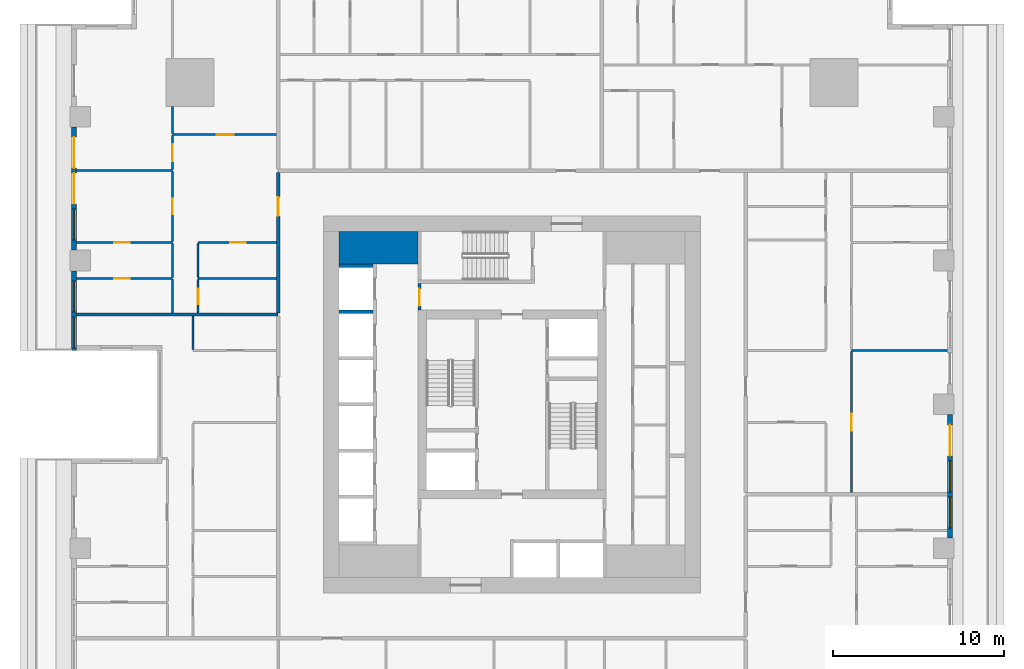
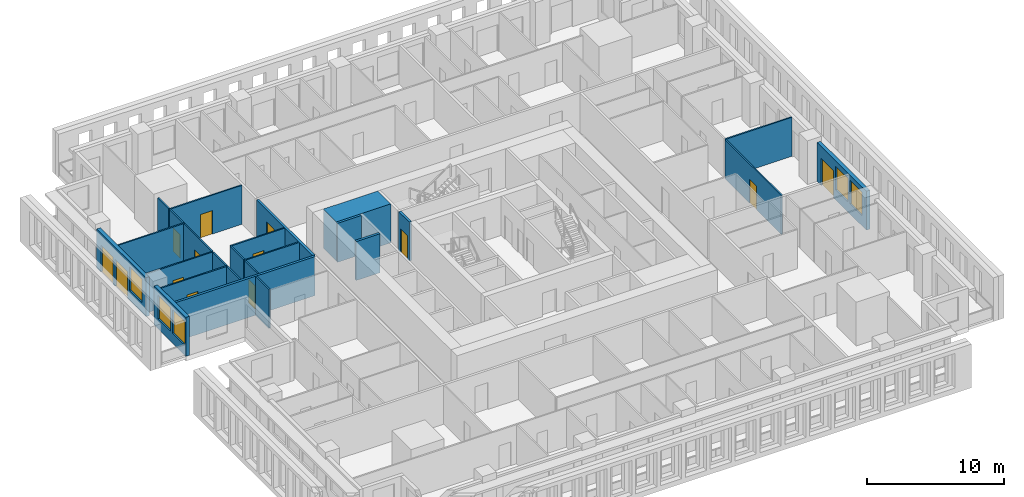
# One storey, part 6 of 15: 25 walls, 13 doors, 5 windows, 18 openings.
"""IFC4 building model written with IfcOpenShell, lengths in metres."""

import ifcopenshell
import ifcopenshell.guid

model = None  # the IFC model being written
_history = None  # IfcOwnerHistory: only IFC2X3 demands one
_inside = {}  # id of a spatial element -> (the spatial element, [elements in it])
_under = {}  # id of a project, library or spatial element -> (it, [spatial elements below it])
_declared = {}  # id of a project -> (the project, [libraries it declares])
_typed = {}  # id of a type object -> (the type object, [elements of that type])
_made_of = {}  # id of a material, layer set ... -> (it, [elements and type objects made of it])


def new_model(schema):
    """Start an empty IFC model of exactly this schema.

    Asked for "IFC4X3", IfcOpenShell would pick the latest addendum, in which some entities
    have other attributes; the version numbers below select the first issue.
    IFC2X3 requires an IfcOwnerHistory on every rooted entity: one is made here for all.
    """
    global model, _history
    if schema == "IFC4X3":
        model = ifcopenshell.file(schema_version=(4, 3, 0, 0))
    else:
        model = ifcopenshell.file(schema=schema)
    _inside.clear()
    _under.clear()
    _declared.clear()
    _typed.clear()
    _made_of.clear()
    _history = None
    if model.schema == "IFC2X3":
        org = make("IfcOrganization", Name="unknown")
        user = make(
            "IfcPersonAndOrganization",
            ThePerson=make("IfcPerson", FamilyName="unknown"),
            TheOrganization=org,
        )
        app = make(
            "IfcApplication",
            ApplicationDeveloper=org,
            Version="unknown",
            ApplicationFullName="unknown",
            ApplicationIdentifier="unknown",
        )
        _history = make(
            "IfcOwnerHistory",
            OwningUser=user,
            OwningApplication=app,
            ChangeAction="ADDED",
            CreationDate=0,
        )
    return model


def make(cls, **values):
    """One entity of the class cls with the attributes given. An attribute that is None is left unset."""
    return model.create_entity(
        cls, **{name: value for name, value in values.items() if value is not None}
    )


def rooted(cls, **values):
    """An entity with a GlobalId (a new one), such as an element, a storey or a relation."""
    return make(cls, GlobalId=ifcopenshell.guid.new(), OwnerHistory=_history, **values)


def si_unit(unit_type, name, prefix=None):
    """IfcSIUnit, for example si_unit("LENGTHUNIT", "METRE", prefix="MILLI")."""
    return make("IfcSIUnit", UnitType=unit_type, Prefix=prefix, Name=name)


def assignment(units):
    """IfcUnitAssignment: the units of a project."""
    return None if units is None else make("IfcUnitAssignment", Units=units)


def point(xyz):
    """IfcCartesianPoint."""
    return None if xyz is None else make("IfcCartesianPoint", Coordinates=xyz)


def direction(xyz):
    """IfcDirection."""
    return None if xyz is None else make("IfcDirection", DirectionRatios=xyz)


def frame(location, z_axis=None, x_axis=None):
    """IfcAxis2Placement3D, a coordinate frame: its origin and axes. An axis left out is left unset."""
    return make(
        "IfcAxis2Placement3D",
        Location=point(location),
        Axis=direction(z_axis),
        RefDirection=direction(x_axis),
    )


def frame_2d(location, x_axis=None):
    """IfcAxis2Placement2D, a coordinate frame in the plane: its origin and x axis."""
    return make(
        "IfcAxis2Placement2D", Location=point(location), RefDirection=direction(x_axis)
    )


def origin():
    """The frame at (0, 0, 0) with its axes left unset."""
    return frame((0.0, 0.0, 0.0))


def place(relative_to, where):
    """IfcLocalPlacement: puts the frame where relative to a parent placement (None: the world)."""
    return make(
        "IfcLocalPlacement", PlacementRelTo=relative_to, RelativePlacement=where
    )


def context(
    kind, dimensions, precision=None, world=None, true_north=None, identifier=None
):
    """IfcGeometricRepresentationContext, for example the 3D "Model" context."""
    return make(
        "IfcGeometricRepresentationContext",
        ContextIdentifier=identifier,
        ContextType=kind,
        CoordinateSpaceDimension=dimensions,
        Precision=precision,
        WorldCoordinateSystem=world,
        TrueNorth=true_north,
    )


def subcontext(parent, identifier, kind, view, scale=None):
    """IfcGeometricRepresentationSubContext, for example "Body" below "Model"."""
    return make(
        "IfcGeometricRepresentationSubContext",
        ContextIdentifier=identifier,
        ContextType=kind,
        ParentContext=parent,
        TargetScale=scale,
        TargetView=view,
    )


def project(units=None, contexts=None):
    """IfcProject with its units and contexts."""
    return rooted(
        "IfcProject",
        Name="project",
        RepresentationContexts=contexts,
        UnitsInContext=assignment(units),
    )


def spatial(cls, under=None, at=None, **own):
    """A site, building, storey or space (cls), placed at a placement, below another one or the project."""
    s = rooted(cls, ObjectPlacement=at, **own)
    if under is not None:
        _under.setdefault(under.id(), (under, []))[1].append(s)
    return s


def profile(cls, at=None, kind="AREA", **sizes):
    """A parametric profile (cls). Its sizes go by their IFC names, for example OverallWidth=200.0."""
    return make(cls, ProfileType=kind, Position=at, **sizes)


def rectangle(**sizes):
    """IfcRectangleProfileDef."""
    return profile("IfcRectangleProfileDef", **sizes)


def extrude(swept, where, along, depth):
    """IfcExtrudedAreaSolid: the profile swept, set in the frame where, extruded along a direction by depth."""
    return make(
        "IfcExtrudedAreaSolid",
        SweptArea=swept,
        Position=where,
        ExtrudedDirection=direction(along),
        Depth=depth,
    )


def shape(context_of_items, identifier, shape_type, items):
    """IfcShapeRepresentation: the items that make up one representation, for example the "Body"."""
    return make(
        "IfcShapeRepresentation",
        ContextOfItems=context_of_items,
        RepresentationIdentifier=identifier,
        RepresentationType=shape_type,
        Items=items,
    )


def material(Name=None, Category=None):
    """IfcMaterial."""
    return make("IfcMaterial", Name=Name, Category=Category)


def layer(
    of_material, thickness, ventilated=None, Name=None, Category=None, Priority=None
):
    """IfcMaterialLayer: one layer of a wall or slab, of a material (None: an air gap)."""
    return make(
        "IfcMaterialLayer",
        Material=of_material,
        LayerThickness=thickness,
        IsVentilated=ventilated,
        Name=Name,
        Category=Category,
        Priority=Priority,
    )


def layer_set(layers, Name=None):
    """IfcMaterialLayerSet."""
    return make("IfcMaterialLayerSet", MaterialLayers=layers, LayerSetName=Name)


def made_of(thing, what):
    """Note that an element or type object is made of a material, layer set ...; save() writes the relation."""
    if what is not None:
        _made_of.setdefault(what.id(), (what, []))[1].append(thing)
    return thing


def type_object(cls, material=None, **own):
    """A type object (cls), such as IfcWallType, which elements share."""
    return made_of(rooted(cls, **own), material)


def element(
    cls,
    number,
    at=None,
    inside=None,
    cuts=None,
    type_object=None,
    material=None,
    context=None,
    identifier="Body",
    shape_type=None,
    held_by="IfcProductDefinitionShape",
    body=None,
    shapes=None,
    **own,
):
    """One element of the class cls, such as IfcWall. Its Tag is "e" and its number.

    at: its placement. inside: the storey or other place that contains it. cuts: it is an
    opening in that element (IfcRelVoidsElement). A single representation is given by context,
    identifier, shape_type and body (its items); several are given by shapes. held_by: the class
    of the entity that holds the representations. save() writes the other relations.
    """
    e = rooted(cls, Tag="e%d" % number, ObjectPlacement=at, **own)
    if body is not None:
        shapes = [shape(context, identifier, shape_type, body)]
    if shapes is not None:
        e.Representation = make(held_by, Representations=shapes)
    if inside is not None:
        _inside.setdefault(inside.id(), (inside, []))[1].append(e)
    if cuts is not None:
        rooted(
            "IfcRelVoidsElement", RelatingBuildingElement=cuts, RelatedOpeningElement=e
        )
    if type_object is not None:
        _typed.setdefault(type_object.id(), (type_object, []))[1].append(e)
    return made_of(e, material)


def fill(opening, filler):
    """IfcRelFillsElement: the door or window that sits in an opening."""
    return rooted(
        "IfcRelFillsElement",
        RelatingOpeningElement=opening,
        RelatedBuildingElement=filler,
    )


def aggregate(whole, parts):
    """IfcRelAggregates: a whole, such as a stair, and the parts it consists of."""
    return rooted("IfcRelAggregates", RelatingObject=whole, RelatedObjects=parts)


def save(model, path):
    """Write the relations noted so far, then the file.

    IfcRelAggregates (storeys below a building ...), IfcRelContainedInSpatialStructure (elements
    in a storey), IfcRelDefinesByType, IfcRelAssociatesMaterial and IfcRelDeclares: one each for
    every whole, place, type object, material and project.
    """
    for whole, parts in _under.values():
        aggregate(whole, parts)
    for where, things in _inside.values():
        rooted(
            "IfcRelContainedInSpatialStructure",
            RelatedElements=things,
            RelatingStructure=where,
        )
    for kind, things in _typed.values():
        rooted("IfcRelDefinesByType", RelatedObjects=things, RelatingType=kind)
    for what, things in _made_of.values():
        rooted("IfcRelAssociatesMaterial", RelatedObjects=things, RelatingMaterial=what)
    for by, libraries in _declared.values():
        rooted("IfcRelDeclares", RelatingContext=by, RelatedDefinitions=libraries)
    model.write(path)


model = new_model("IFC4")

# Units and contexts
model_context = context("Model", 3, precision=1e-05, world=origin(), true_north=direction((0.0, 1.0)))
body_context = subcontext(model_context, "Body", "Model", "MODEL_VIEW")
ifc_project = project(units=[si_unit("LENGTHUNIT", "METRE"), si_unit("AREAUNIT", "SQUARE_METRE"), si_unit("VOLUMEUNIT", "CUBIC_METRE"), si_unit("PLANEANGLEUNIT", "RADIAN"), si_unit("MASSUNIT", "GRAM", prefix="KILO")], contexts=[model_context])

# Site, building, storey
site_placement = place(None, origin())
site = spatial("IfcSite", under=ifc_project, at=site_placement, CompositionType="ELEMENT")
building_placement = place(site_placement, origin())
building = spatial("IfcBuilding", under=site, at=building_placement, Name="Khepri Terraces", CompositionType="ELEMENT")
storey_placement = place(building_placement, frame((0.0, 0.0, 83.10009765625)))
storey = spatial("IfcBuildingStorey", under=building, at=storey_placement, Name="L19", CompositionType="ELEMENT", Elevation=83.10009765625)

# Walls
ifc_material_1 = material(Name="Concrete C70/85", Category="concrete")
ifc_layer_1 = layer(ifc_material_1, 1.89990234375, Name="Concrete C70/85", Category="concrete")
ifc_layer_set_1 = layer_set([ifc_layer_1], Name="Concrete C70/85")
wall_type_1 = type_object("IfcWallType", Name="Core wall 1900 C70/85", PredefinedType="SHEAR", material=ifc_layer_set_1)
wall_1_placement = place(storey_placement, frame((-10.10009765625, 9.14990234375, 0.0), z_axis=(0.0, 0.0, 1.0), x_axis=(1.0, 0.0, 0.0)))
element("IfcWall", 1, at=wall_1_placement, inside=storey, type_object=wall_type_1, Name="Core wall PR03 L19", PredefinedType="SHEAR", context=body_context, shape_type="SweptSolid", body=[
    extrude(rectangle(XDim=4.60009765625, YDim=1.89990234375, at=frame_2d((2.300048828125, 0.0))), origin(), (0.0, 0.0, 1.0), 3.47998046875),
])
ifc_layer_2 = layer(ifc_material_1, 0.199951171875, Name="Concrete C70/85", Category="concrete")
ifc_layer_set_2 = layer_set([ifc_layer_2], Name="Concrete C70/85")
wall_type_2 = type_object("IfcWallType", Name="Core wall 200 C70/85", PredefinedType="SHEAR", material=ifc_layer_set_2)
for number, where, z_axis, x_axis, name in (
    (2, (-10.10009765625, 5.39990234375, 0.0), (0.0, 0.0, 1.0), (1.0, 0.0, 0.0), "Core wall SH19 L19"),
    (3, (-10.10009765625, 8.10009765625, 0.0), (0.0, 0.0, 1.0), (1.0, 0.0, 0.0), "Core wall SH20 L19"),
):
    element("IfcWall", number, at=place(storey_placement, frame(where, z_axis=z_axis, x_axis=x_axis)), inside=storey, type_object=wall_type_2, Name=name, PredefinedType="SHEAR", context=body_context, shape_type="SweptSolid", body=[
        extrude(rectangle(XDim=2.0, YDim=0.199951171875, at=frame_2d((1.0, 0.0))), origin(), (0.0, 0.0, 1.0), 3.47998046875),
    ])

# Wall, opening, door
ifc_material_2 = material(Name="Fire-rated gypsum board partition")
ifc_layer_3 = layer(ifc_material_2, 0.199951171875, Name="Fire-rated gypsum board partition")
ifc_layer_set_3 = layer_set([ifc_layer_3], Name="Fire-rated gypsum board partition")
wall_type_3 = type_object("IfcWallType", Name="WL-CORE-PART-200", PredefinedType="PARTITIONING", material=ifc_layer_set_3)
wall_2_placement = place(storey_placement, frame((-5.39990234375, 5.5, 0.0), z_axis=(0.0, 0.0, 1.0), x_axis=(0.0, 1.0, 0.0)))
wall_2 = element("IfcWall", 4, at=wall_2_placement, inside=storey, type_object=wall_type_3, Name="Core partition PT07 L19", PredefinedType="PARTITIONING", context=body_context, shape_type="SweptSolid", body=[
    extrude(rectangle(XDim=1.550048828125, YDim=0.199951171875, at=frame_2d((0.77490234375, 0.0))), origin(), (0.0, 0.0, 1.0), 3.47998046875),
])
opening_1_placement = place(wall_2_placement, frame((0.25, 0.0, 0.0)))
opening_1 = element("IfcOpeningElement", 5, at=opening_1_placement, cuts=wall_2, Name="Opening L19-C16", PredefinedType="OPENING", context=body_context, shape_type="SweptSolid", body=[
    extrude(rectangle(XDim=1.0, YDim=2.10009765625, at=frame_2d((0.5, 1.050048828125))), frame((0.0, 0.10986328125, 0.0), z_axis=(0.0, -1.0, 0.0), x_axis=(1.0, 0.0, 0.0)), (0.0, 0.0, 1.0), 0.219970703125),
])
ifc_material_3 = material(Name="Painted steel", Category="steel")
door_type_1 = type_object("IfcDoorType", Name="DR-CORE-LOBBY-1000", OperationType="NOTDEFINED", PredefinedType="DOOR", material=ifc_material_3)
door_1_placement = place(opening_1_placement, frame((1.0, 0.0, 0.0), z_axis=(0.0, 0.0, 1.0), x_axis=(-1.0, 0.0, 0.0)))
door_1 = element("IfcDoor", 6, at=door_1_placement, inside=storey, type_object=door_type_1, Name="Lobby door L19-C16", OperationType="SINGLE_SWING_RIGHT", OverallHeight=2.10009765625, OverallWidth=1.0, PredefinedType="DOOR", context=body_context, shape_type="SweptSolid", body=[
    extrude(rectangle(XDim=1.0, YDim=2.10009765625, at=frame_2d((0.5, 1.050048828125))), frame((0.0, 0.02490234375, 0.0), z_axis=(0.0, -1.0, 0.0), x_axis=(1.0, 0.0, 0.0)), (0.0, 0.0, 1.0), 0.050048828125),
])
fill(opening_1, door_1)

# Wall
ifc_material_4 = material(Name="Fire-rated gypsum plasterboard partition, mineral wool")
ifc_layer_4 = layer(ifc_material_4, 0.199951171875, Name="Fire-rated gypsum plasterboard partition, mineral wool")
ifc_layer_set_4 = layer_set([ifc_layer_4], Name="Fire-rated gypsum plasterboard partition, mineral wool")
wall_type_4 = type_object("IfcWallType", Name="WL-CORR-200", PredefinedType="PARTITIONING", material=ifc_layer_set_4)
wall_3_placement = place(storey_placement, frame((-25.419921875, 5.25, 0.0), z_axis=(0.0, 0.0, 1.0), x_axis=(1.0, 0.0, 0.0)))
element("IfcWall", 7, at=wall_3_placement, inside=storey, type_object=wall_type_4, Name="Partition P-058 L19", PredefinedType="PARTITIONING", context=body_context, shape_type="SweptSolid", body=[
    extrude(rectangle(XDim=11.77001953125, YDim=0.199951171875, at=frame_2d((5.885009765625, 0.0))), origin(), (0.0, 0.0, 1.0), 3.47998046875),
])

# Wall, opening, door
wall_4_placement = place(storey_placement, frame((-13.64990234375, 5.35009765625, 0.0), z_axis=(0.0, 0.0, 1.0), x_axis=(0.0, 1.0, 0.0)))
wall_4 = element("IfcWall", 8, at=wall_4_placement, inside=storey, type_object=wall_type_4, Name="Partition P-061 L19", PredefinedType="PARTITIONING", context=body_context, shape_type="SweptSolid", body=[
    extrude(rectangle(XDim=8.199951171875, YDim=0.199951171875, at=frame_2d((4.10009765625, 0.0))), origin(), (0.0, 0.0, 1.0), 3.47998046875),
])
opening_2_placement = place(wall_4_placement, frame((5.64990234375, 0.0, 0.0)))
opening_2 = element("IfcOpeningElement", 9, at=opening_2_placement, cuts=wall_4, Name="Opening D1", PredefinedType="OPENING", context=body_context, shape_type="SweptSolid", body=[
    extrude(rectangle(XDim=1.10009765625, YDim=2.39990234375, at=frame_2d((0.550048828125, 1.199951171875))), frame((0.0, 0.10986328125, 0.0), z_axis=(0.0, -1.0, 0.0), x_axis=(1.0, 0.0, 0.0)), (0.0, 0.0, 1.0), 0.219970703125),
])
ifc_material_5 = material(Name="Solid-core timber door leaf, flat entrance door", Category="wood")
door_type_2 = type_object("IfcDoorType", Name="DR-ENT-1100", OperationType="NOTDEFINED", PredefinedType="DOOR", material=ifc_material_5)
door_2_placement = place(opening_2_placement, origin())
door_2 = element("IfcDoor", 10, at=door_2_placement, inside=storey, type_object=door_type_2, Name="Flat D1 entrance door", OperationType="SINGLE_SWING_RIGHT", OverallHeight=2.39990234375, OverallWidth=1.10009765625, PredefinedType="DOOR", context=body_context, shape_type="SweptSolid", body=[
    extrude(rectangle(XDim=1.10009765625, YDim=2.39990234375, at=frame_2d((0.550048828125, 1.199951171875))), frame((0.0, 0.02490234375, 0.0), z_axis=(0.0, -1.0, 0.0), x_axis=(1.0, 0.0, 0.0)), (0.0, 0.0, 1.0), 0.050048828125),
])
fill(opening_2, door_2)

# Wall, openings, door, windows
ifc_material_6 = material(Name="Precast concrete C50/60 warm stone", Category="masonry")
ifc_layer_5 = layer(ifc_material_6, 0.300048828125, Name="Precast concrete C50/60 warm stone", Category="masonry")
ifc_layer_set_5 = layer_set([ifc_layer_5], Name="Precast concrete C50/60 warm stone")
wall_type_5 = type_object("IfcWallType", Name="WL-EXT-PRECAST-300", PredefinedType="STANDARD", material=ifc_layer_set_5)
wall_5_placement = place(storey_placement, frame((25.570068359375, -7.800048828125, 0.0), z_axis=(0.0, 0.0, 1.0), x_axis=(0.0, 1.0, 0.0)))
wall_5 = element("IfcWall", 11, at=wall_5_placement, inside=storey, type_object=wall_type_5, Name="External wall L19 E", PredefinedType="STANDARD", context=body_context, shape_type="SweptSolid", body=[
    extrude(rectangle(XDim=7.199951171875, YDim=0.300048828125, at=frame_2d((3.60009765625, 0.0))), origin(), (0.0, 0.0, 1.0), 3.47998046875),
])
opening_3_placement = place(wall_5_placement, frame((0.60009765625, 0.0, 0.89990234375)))
opening_3 = element("IfcOpeningElement", 12, at=opening_3_placement, cuts=wall_5, Name="Opening W1", PredefinedType="OPENING", context=body_context, shape_type="SweptSolid", body=[
    extrude(rectangle(XDim=1.800048828125, YDim=2.10009765625, at=frame_2d((0.89990234375, 1.050048828125))), frame((0.0, 0.16015625, 0.0), z_axis=(0.0, -1.0, 0.0), x_axis=(1.0, 0.0, 0.0)), (0.0, 0.0, 1.0), 0.320068359375),
])
opening_4_placement = place(wall_5_placement, frame((2.699951171875, 0.0, 0.89990234375)))
opening_4 = element("IfcOpeningElement", 13, at=opening_4_placement, cuts=wall_5, Name="Opening W1", PredefinedType="OPENING", context=body_context, shape_type="SweptSolid", body=[
    extrude(rectangle(XDim=1.800048828125, YDim=2.10009765625, at=frame_2d((0.89990234375, 1.050048828125))), frame((0.0, 0.16015625, 0.0), z_axis=(0.0, -1.0, 0.0), x_axis=(1.0, 0.0, 0.0)), (0.0, 0.0, 1.0), 0.320068359375),
])
opening_5_placement = place(wall_5_placement, frame((4.800048828125, 0.0, 0.0)))
opening_5 = element("IfcOpeningElement", 14, at=opening_5_placement, cuts=wall_5, Name="Opening ED-L19-04", PredefinedType="OPENING", context=body_context, shape_type="SweptSolid", body=[
    extrude(rectangle(XDim=1.800048828125, YDim=2.39990234375, at=frame_2d((0.89990234375, 1.199951171875))), frame((0.0, 0.16015625, 0.0), z_axis=(0.0, -1.0, 0.0), x_axis=(1.0, 0.0, 0.0)), (0.0, 0.0, 1.0), 0.320068359375),
])
ifc_material_7 = material(Name="Anodised aluminium bronze glazed door", Category="aluminium")
door_type_3 = type_object("IfcDoorType", Name="DR-BAL-SLIDE-1800x2400", OperationType="NOTDEFINED", PredefinedType="DOOR", material=ifc_material_7)
door_3_placement = place(opening_5_placement, origin())
door_3 = element("IfcDoor", 15, at=door_3_placement, inside=storey, type_object=door_type_3, Name="Balcony door L19 E", OperationType="SLIDING_TO_RIGHT", OverallHeight=2.39990234375, OverallWidth=1.800048828125, PredefinedType="DOOR", context=body_context, shape_type="SweptSolid", body=[
    extrude(rectangle(XDim=1.800048828125, YDim=2.39990234375, at=frame_2d((0.89990234375, 1.199951171875))), frame((0.0, 0.02490234375, 0.0), z_axis=(0.0, -1.0, 0.0), x_axis=(1.0, 0.0, 0.0)), (0.0, 0.0, 1.0), 0.050048828125),
])
fill(opening_5, door_3)
ifc_material_8 = material(Name="Clear glass", Category="glass")
window_type = type_object("IfcWindowType", Name="WIN-RES-1800x2100", PartitioningType="SINGLE_PANEL", PredefinedType="WINDOW", material=ifc_material_8)
window_1_placement = place(opening_3_placement, origin())
window_1 = element("IfcWindow", 16, at=window_1_placement, inside=storey, type_object=window_type, Name="Window L19 E", OverallHeight=2.10009765625, OverallWidth=1.800048828125, PartitioningType="SINGLE_PANEL", PredefinedType="WINDOW", context=body_context, shape_type="SweptSolid", body=[
    extrude(rectangle(XDim=1.800048828125, YDim=2.10009765625, at=frame_2d((0.89990234375, 1.050048828125))), frame((0.0, 0.030029296875, 0.0), z_axis=(0.0, -1.0, 0.0), x_axis=(1.0, 0.0, 0.0)), (0.0, 0.0, 1.0), 0.06005859375),
])
fill(opening_3, window_1)
window_2_placement = place(opening_4_placement, origin())
window_2 = element("IfcWindow", 17, at=window_2_placement, inside=storey, type_object=window_type, Name="Window L19 E", OverallHeight=2.10009765625, OverallWidth=1.800048828125, PartitioningType="SINGLE_PANEL", PredefinedType="WINDOW", context=body_context, shape_type="SweptSolid", body=[
    extrude(rectangle(XDim=1.800048828125, YDim=2.10009765625, at=frame_2d((0.89990234375, 1.050048828125))), frame((0.0, 0.030029296875, 0.0), z_axis=(0.0, -1.0, 0.0), x_axis=(1.0, 0.0, 0.0)), (0.0, 0.0, 1.0), 0.06005859375),
])
fill(opening_4, window_2)

# Wall, openings, doors, window
wall_6_placement = place(storey_placement, frame((-25.570068359375, 16.199951171875, 0.0), z_axis=(0.0, 0.0, 1.0), x_axis=(0.0, -1.0, 0.0)))
wall_6 = element("IfcWall", 18, at=wall_6_placement, inside=storey, type_object=wall_type_5, Name="External wall L19 W", PredefinedType="STANDARD", context=body_context, shape_type="SweptSolid", body=[
    extrude(rectangle(XDim=7.199951171875, YDim=0.300048828125, at=frame_2d((3.60009765625, 0.0))), origin(), (0.0, 0.0, 1.0), 3.47998046875),
])
opening_6_placement = place(wall_6_placement, frame((0.60009765625, 0.0, 0.0)))
opening_6 = element("IfcOpeningElement", 19, at=opening_6_placement, cuts=wall_6, Name="Opening ED-L19-15", PredefinedType="OPENING", context=body_context, shape_type="SweptSolid", body=[
    extrude(rectangle(XDim=1.800048828125, YDim=2.39990234375, at=frame_2d((0.89990234375, 1.199951171875))), frame((0.0, 0.16015625, 0.0), z_axis=(0.0, -1.0, 0.0), x_axis=(1.0, 0.0, 0.0)), (0.0, 0.0, 1.0), 0.320068359375),
])
opening_7_placement = place(wall_6_placement, frame((2.699951171875, 0.0, 0.0)))
opening_7 = element("IfcOpeningElement", 20, at=opening_7_placement, cuts=wall_6, Name="Opening ED-L19-16", PredefinedType="OPENING", context=body_context, shape_type="SweptSolid", body=[
    extrude(rectangle(XDim=1.800048828125, YDim=2.39990234375, at=frame_2d((0.89990234375, 1.199951171875))), frame((0.0, 0.16015625, 0.0), z_axis=(0.0, -1.0, 0.0), x_axis=(1.0, 0.0, 0.0)), (0.0, 0.0, 1.0), 0.320068359375),
])
opening_8_placement = place(wall_6_placement, frame((4.800048828125, 0.0, 0.89990234375)))
opening_8 = element("IfcOpeningElement", 21, at=opening_8_placement, cuts=wall_6, Name="Opening W1", PredefinedType="OPENING", context=body_context, shape_type="SweptSolid", body=[
    extrude(rectangle(XDim=1.800048828125, YDim=2.10009765625, at=frame_2d((0.89990234375, 1.050048828125))), frame((0.0, 0.16015625, 0.0), z_axis=(0.0, -1.0, 0.0), x_axis=(1.0, 0.0, 0.0)), (0.0, 0.0, 1.0), 0.320068359375),
])
door_4_placement = place(opening_6_placement, origin())
door_4 = element("IfcDoor", 22, at=door_4_placement, inside=storey, type_object=door_type_3, Name="Balcony door L19 W", OperationType="SLIDING_TO_LEFT", OverallHeight=2.39990234375, OverallWidth=1.800048828125, PredefinedType="DOOR", context=body_context, shape_type="SweptSolid", body=[
    extrude(rectangle(XDim=1.800048828125, YDim=2.39990234375, at=frame_2d((0.89990234375, 1.199951171875))), frame((0.0, 0.02490234375, 0.0), z_axis=(0.0, -1.0, 0.0), x_axis=(1.0, 0.0, 0.0)), (0.0, 0.0, 1.0), 0.050048828125),
])
fill(opening_6, door_4)
door_5_placement = place(opening_7_placement, origin())
door_5 = element("IfcDoor", 23, at=door_5_placement, inside=storey, type_object=door_type_3, Name="Balcony door L19 W", OperationType="SLIDING_TO_RIGHT", OverallHeight=2.39990234375, OverallWidth=1.800048828125, PredefinedType="DOOR", context=body_context, shape_type="SweptSolid", body=[
    extrude(rectangle(XDim=1.800048828125, YDim=2.39990234375, at=frame_2d((0.89990234375, 1.199951171875))), frame((0.0, 0.02490234375, 0.0), z_axis=(0.0, -1.0, 0.0), x_axis=(1.0, 0.0, 0.0)), (0.0, 0.0, 1.0), 0.050048828125),
])
fill(opening_7, door_5)
window_3_placement = place(opening_8_placement, origin())
window_3 = element("IfcWindow", 24, at=window_3_placement, inside=storey, type_object=window_type, Name="Window L19 W", OverallHeight=2.10009765625, OverallWidth=1.800048828125, PartitioningType="SINGLE_PANEL", PredefinedType="WINDOW", context=body_context, shape_type="SweptSolid", body=[
    extrude(rectangle(XDim=1.800048828125, YDim=2.10009765625, at=frame_2d((0.89990234375, 1.050048828125))), frame((0.0, 0.030029296875, 0.0), z_axis=(0.0, -1.0, 0.0), x_axis=(1.0, 0.0, 0.0)), (0.0, 0.0, 1.0), 0.06005859375),
])
fill(opening_8, window_3)

# Wall, openings, windows
wall_7_placement = place(storey_placement, frame((-25.570068359375, 7.800048828125, 0.0), z_axis=(0.0, 0.0, 1.0), x_axis=(0.0, -1.0, 0.0)))
wall_7 = element("IfcWall", 25, at=wall_7_placement, inside=storey, type_object=wall_type_5, Name="External wall L19 W", PredefinedType="STANDARD", context=body_context, shape_type="SweptSolid", body=[
    extrude(rectangle(XDim=4.650146484375, YDim=0.300048828125, at=frame_2d((2.3251953125, 0.0))), origin(), (0.0, 0.0, 1.0), 3.47998046875),
])
opening_9_placement = place(wall_7_placement, frame((0.60009765625, 0.0, 0.89990234375)))
opening_9 = element("IfcOpeningElement", 26, at=opening_9_placement, cuts=wall_7, Name="Opening W1", PredefinedType="OPENING", context=body_context, shape_type="SweptSolid", body=[
    extrude(rectangle(XDim=1.800048828125, YDim=2.10009765625, at=frame_2d((0.89990234375, 1.050048828125))), frame((0.0, 0.16015625, 0.0), z_axis=(0.0, -1.0, 0.0), x_axis=(1.0, 0.0, 0.0)), (0.0, 0.0, 1.0), 0.320068359375),
])
opening_10_placement = place(wall_7_placement, frame((2.699951171875, 0.0, 0.89990234375)))
opening_10 = element("IfcOpeningElement", 27, at=opening_10_placement, cuts=wall_7, Name="Opening W1", PredefinedType="OPENING", context=body_context, shape_type="SweptSolid", body=[
    extrude(rectangle(XDim=1.800048828125, YDim=2.10009765625, at=frame_2d((0.89990234375, 1.050048828125))), frame((0.0, 0.16015625, 0.0), z_axis=(0.0, -1.0, 0.0), x_axis=(1.0, 0.0, 0.0)), (0.0, 0.0, 1.0), 0.320068359375),
])
window_4_placement = place(opening_9_placement, origin())
window_4 = element("IfcWindow", 28, at=window_4_placement, inside=storey, type_object=window_type, Name="Window L19 W", OverallHeight=2.10009765625, OverallWidth=1.800048828125, PartitioningType="SINGLE_PANEL", PredefinedType="WINDOW", context=body_context, shape_type="SweptSolid", body=[
    extrude(rectangle(XDim=1.800048828125, YDim=2.10009765625, at=frame_2d((0.89990234375, 1.050048828125))), frame((0.0, 0.030029296875, 0.0), z_axis=(0.0, -1.0, 0.0), x_axis=(1.0, 0.0, 0.0)), (0.0, 0.0, 1.0), 0.06005859375),
])
fill(opening_9, window_4)
window_5_placement = place(opening_10_placement, origin())
window_5 = element("IfcWindow", 29, at=window_5_placement, inside=storey, type_object=window_type, Name="Window L19 W", OverallHeight=2.10009765625, OverallWidth=1.800048828125, PartitioningType="SINGLE_PANEL", PredefinedType="WINDOW", context=body_context, shape_type="SweptSolid", body=[
    extrude(rectangle(XDim=1.800048828125, YDim=2.10009765625, at=frame_2d((0.89990234375, 1.050048828125))), frame((0.0, 0.030029296875, 0.0), z_axis=(0.0, -1.0, 0.0), x_axis=(1.0, 0.0, 0.0)), (0.0, 0.0, 1.0), 0.06005859375),
])
fill(opening_10, window_5)

# Wall, opening, door
ifc_material_9 = material(Name="Gypsum plasterboard partition")
ifc_layer_6 = layer(ifc_material_9, 0.1201171875, Name="Gypsum plasterboard partition")
ifc_layer_set_6 = layer_set([ifc_layer_6], Name="Gypsum plasterboard partition")
wall_type_6 = type_object("IfcWallType", Name="WL-PART-120", PredefinedType="PARTITIONING", material=ifc_layer_set_6)
wall_8_placement = place(storey_placement, frame((19.820068359375, -5.14990234375, 0.0), z_axis=(0.0, 0.0, 1.0), x_axis=(0.0, 1.0, 0.0)))
wall_8 = element("IfcWall", 30, at=wall_8_placement, inside=storey, type_object=wall_type_6, Name="Partition P-048 L19", PredefinedType="PARTITIONING", context=body_context, shape_type="SweptSolid", body=[
    extrude(rectangle(XDim=8.239990234375, YDim=0.1201171875, at=frame_2d((4.1201171875, 0.0))), origin(), (0.0, 0.0, 1.0), 3.47998046875),
])
opening_11_placement = place(wall_8_placement, frame((3.60009765625, 0.0, 0.0)))
opening_11 = element("IfcOpeningElement", 31, at=opening_11_placement, cuts=wall_8, Name="Opening D2", PredefinedType="OPENING", context=body_context, shape_type="SweptSolid", body=[
    extrude(rectangle(XDim=1.0, YDim=2.10009765625, at=frame_2d((0.5, 1.050048828125))), frame((0.0, 0.070068359375, 0.0), z_axis=(0.0, -1.0, 0.0), x_axis=(1.0, 0.0, 0.0)), (0.0, 0.0, 1.0), 0.14013671875),
])
ifc_material_10 = material(Name="Timber door leaf, living room door", Category="wood")
door_type_4 = type_object("IfcDoorType", Name="DR-INT-1000", OperationType="NOTDEFINED", PredefinedType="DOOR", material=ifc_material_10)
door_6_placement = place(opening_11_placement, frame((1.0, 0.0, 0.0), z_axis=(0.0, 0.0, 1.0), x_axis=(-1.0, 0.0, 0.0)))
door_6 = element("IfcDoor", 32, at=door_6_placement, inside=storey, type_object=door_type_4, Name="Door Living Room", OperationType="SINGLE_SWING_RIGHT", OverallHeight=2.10009765625, OverallWidth=1.0, PredefinedType="DOOR", context=body_context, shape_type="SweptSolid", body=[
    extrude(rectangle(XDim=1.0, YDim=2.10009765625, at=frame_2d((0.5, 1.050048828125))), frame((0.0, 0.02490234375, 0.0), z_axis=(0.0, -1.0, 0.0), x_axis=(1.0, 0.0, 0.0)), (0.0, 0.0, 1.0), 0.050048828125),
])
fill(opening_11, door_6)

# Walls
wall_9_placement = place(storey_placement, frame((19.820068359375, 3.14990234375, 0.0), z_axis=(0.0, 0.0, 1.0), x_axis=(1.0, 0.0, 0.0)))
element("IfcWall", 33, at=wall_9_placement, inside=storey, type_object=wall_type_6, Name="Partition P-054 L19", PredefinedType="PARTITIONING", context=body_context, shape_type="SweptSolid", body=[
    extrude(rectangle(XDim=5.599853515625, YDim=0.1201171875, at=frame_2d((2.7998046875, 0.0))), origin(), (0.0, 0.0, 1.0), 3.47998046875),
])
for number, where, z_axis, x_axis, name in (
    (34, (-18.6201171875, 3.2099609375, 0.0), (0.0, 0.0, 1.0), (0.0, 1.0, 0.0), "Partition P-055 L19"),
    (35, (-19.820068359375, 5.35009765625, 0.0), (0.0, 0.0, 1.0), (0.0, 1.0, 0.0), "Partition P-059 L19"),
):
    element("IfcWall", number, at=place(storey_placement, frame(where, z_axis=z_axis, x_axis=x_axis)), inside=storey, type_object=wall_type_6, Name=name, PredefinedType="PARTITIONING", context=body_context, shape_type="SweptSolid", body=[
        extrude(rectangle(XDim=1.93994140625, YDim=0.1201171875, at=frame_2d((0.969970703125, 0.0))), origin(), (0.0, 0.0, 1.0), 3.47998046875),
    ])

# Wall, opening, door
wall_10_placement = place(storey_placement, frame((-18.320068359375, 5.35009765625, 0.0), z_axis=(0.0, 0.0, 1.0), x_axis=(0.0, 1.0, 0.0)))
wall_10 = element("IfcWall", 36, at=wall_10_placement, inside=storey, type_object=wall_type_6, Name="Partition P-060 L19", PredefinedType="PARTITIONING", context=body_context, shape_type="SweptSolid", body=[
    extrude(rectangle(XDim=1.93994140625, YDim=0.1201171875, at=frame_2d((0.969970703125, 0.0))), origin(), (0.0, 0.0, 1.0), 3.47998046875),
])
opening_12_placement = place(wall_10_placement, frame((0.5, 0.0, 0.0)))
opening_12 = element("IfcOpeningElement", 37, at=opening_12_placement, cuts=wall_10, Name="Opening D3", PredefinedType="OPENING", context=body_context, shape_type="SweptSolid", body=[
    extrude(rectangle(XDim=0.89990234375, YDim=2.10009765625, at=frame_2d((0.449951171875, 1.050048828125))), frame((0.0, 0.070068359375, 0.0), z_axis=(0.0, -1.0, 0.0), x_axis=(1.0, 0.0, 0.0)), (0.0, 0.0, 1.0), 0.14013671875),
])
ifc_material_11 = material(Name="Timber door leaf", Category="wood")
door_type_5 = type_object("IfcDoorType", Name="DR-INT-900", OperationType="NOTDEFINED", PredefinedType="DOOR", material=ifc_material_11)
door_7_placement = place(opening_12_placement, frame((0.89990234375, 0.0, 0.0), z_axis=(0.0, 0.0, 1.0), x_axis=(-1.0, 0.0, 0.0)))
door_7 = element("IfcDoor", 38, at=door_7_placement, inside=storey, type_object=door_type_5, Name="Door Kitchen", OperationType="SINGLE_SWING_RIGHT", OverallHeight=2.10009765625, OverallWidth=0.89990234375, PredefinedType="DOOR", context=body_context, shape_type="SweptSolid", body=[
    extrude(rectangle(XDim=0.89990234375, YDim=2.10009765625, at=frame_2d((0.449951171875, 1.050048828125))), frame((0.0, 0.02490234375, 0.0), z_axis=(0.0, -1.0, 0.0), x_axis=(1.0, 0.0, 0.0)), (0.0, 0.0, 1.0), 0.050048828125),
])
fill(opening_12, door_7)

wall_11_placement = place(storey_placement, frame((-25.419921875, 7.35009765625, 0.0), z_axis=(0.0, 0.0, 1.0), x_axis=(1.0, 0.0, 0.0)))
wall_11 = element("IfcWall", 39, at=wall_11_placement, inside=storey, type_object=wall_type_6, Name="Partition P-062 L19", PredefinedType="PARTITIONING", context=body_context, shape_type="SweptSolid", body=[
    extrude(rectangle(XDim=5.599853515625, YDim=0.1201171875, at=frame_2d((2.7998046875, 0.0))), origin(), (0.0, 0.0, 1.0), 3.47998046875),
])
opening_13_placement = place(wall_11_placement, frame((2.199951171875, 0.0, 0.0)))
opening_13 = element("IfcOpeningElement", 40, at=opening_13_placement, cuts=wall_11, Name="Opening D4", PredefinedType="OPENING", context=body_context, shape_type="SweptSolid", body=[
    extrude(rectangle(XDim=0.89990234375, YDim=2.10009765625, at=frame_2d((0.449951171875, 1.050048828125))), frame((0.0, 0.070068359375, 0.0), z_axis=(0.0, -1.0, 0.0), x_axis=(1.0, 0.0, 0.0)), (0.0, 0.0, 1.0), 0.14013671875),
])
ifc_material_12 = material(Name="Timber door leaf, moisture resistant", Category="wood")
door_type_6 = type_object("IfcDoorType", Name="DR-WET-900", OperationType="NOTDEFINED", PredefinedType="DOOR", material=ifc_material_12)
door_8_placement = place(opening_13_placement, frame((0.89990234375, 0.0, 0.0), z_axis=(0.0, 0.0, 1.0), x_axis=(-1.0, 0.0, 0.0)))
door_8 = element("IfcDoor", 41, at=door_8_placement, inside=storey, type_object=door_type_6, Name="Door Bathroom", OperationType="SINGLE_SWING_RIGHT", OverallHeight=2.10009765625, OverallWidth=0.89990234375, PredefinedType="DOOR", context=body_context, shape_type="SweptSolid", body=[
    extrude(rectangle(XDim=0.89990234375, YDim=2.10009765625, at=frame_2d((0.449951171875, 1.050048828125))), frame((0.0, 0.02490234375, 0.0), z_axis=(0.0, -1.0, 0.0), x_axis=(1.0, 0.0, 0.0)), (0.0, 0.0, 1.0), 0.050048828125),
])
fill(opening_13, door_8)

# Walls
wall_12_placement = place(storey_placement, frame((-18.320068359375, 7.35009765625, 0.0), z_axis=(0.0, 0.0, 1.0), x_axis=(1.0, 0.0, 0.0)))
element("IfcWall", 42, at=wall_12_placement, inside=storey, type_object=wall_type_6, Name="Partition P-063 L19", PredefinedType="PARTITIONING", context=body_context, shape_type="SweptSolid", body=[
    extrude(rectangle(XDim=4.570068359375, YDim=0.1201171875, at=frame_2d((2.28515625, 0.0))), origin(), (0.0, 0.0, 1.0), 3.47998046875),
])
for number, where, z_axis, x_axis, name in (
    (43, (-19.820068359375, 7.409912109375, 0.0), (0.0, 0.0, 1.0), (0.0, 1.0, 0.0), "Partition P-064 L19"),
    (44, (-18.320068359375, 7.409912109375, 0.0), (0.0, 0.0, 1.0), (0.0, 1.0, 0.0), "Partition P-065 L19"),
):
    element("IfcWall", number, at=place(storey_placement, frame(where, z_axis=z_axis, x_axis=x_axis)), inside=storey, type_object=wall_type_6, Name=name, PredefinedType="PARTITIONING", context=body_context, shape_type="SweptSolid", body=[
        extrude(rectangle(XDim=1.97998046875, YDim=0.1201171875, at=frame_2d((0.989990234375, 0.0))), origin(), (0.0, 0.0, 1.0), 3.47998046875),
    ])

# Wall, opening, door
wall_13_placement = place(storey_placement, frame((-25.419921875, 9.449951171875, 0.0), z_axis=(0.0, 0.0, 1.0), x_axis=(1.0, 0.0, 0.0)))
wall_13 = element("IfcWall", 45, at=wall_13_placement, inside=storey, type_object=wall_type_6, Name="Partition P-066 L19", PredefinedType="PARTITIONING", context=body_context, shape_type="SweptSolid", body=[
    extrude(rectangle(XDim=5.599853515625, YDim=0.1201171875, at=frame_2d((2.7998046875, 0.0))), origin(), (0.0, 0.0, 1.0), 3.47998046875),
])
opening_14_placement = place(wall_13_placement, frame((2.199951171875, 0.0, 0.0)))
opening_14 = element("IfcOpeningElement", 46, at=opening_14_placement, cuts=wall_13, Name="Opening D3", PredefinedType="OPENING", context=body_context, shape_type="SweptSolid", body=[
    extrude(rectangle(XDim=0.89990234375, YDim=2.10009765625, at=frame_2d((0.449951171875, 1.050048828125))), frame((0.0, 0.070068359375, 0.0), z_axis=(0.0, -1.0, 0.0), x_axis=(1.0, 0.0, 0.0)), (0.0, 0.0, 1.0), 0.14013671875),
])
door_9_placement = place(opening_14_placement, frame((0.89990234375, 0.0, 0.0), z_axis=(0.0, 0.0, 1.0), x_axis=(-1.0, 0.0, 0.0)))
door_9 = element("IfcDoor", 47, at=door_9_placement, inside=storey, type_object=door_type_5, Name="Door Dressing Room", OperationType="SINGLE_SWING_RIGHT", OverallHeight=2.10009765625, OverallWidth=0.89990234375, PredefinedType="DOOR", context=body_context, shape_type="SweptSolid", body=[
    extrude(rectangle(XDim=0.89990234375, YDim=2.10009765625, at=frame_2d((0.449951171875, 1.050048828125))), frame((0.0, 0.02490234375, 0.0), z_axis=(0.0, -1.0, 0.0), x_axis=(1.0, 0.0, 0.0)), (0.0, 0.0, 1.0), 0.050048828125),
])
fill(opening_14, door_9)

wall_14_placement = place(storey_placement, frame((-18.320068359375, 9.449951171875, 0.0), z_axis=(0.0, 0.0, 1.0), x_axis=(1.0, 0.0, 0.0)))
wall_14 = element("IfcWall", 48, at=wall_14_placement, inside=storey, type_object=wall_type_6, Name="Partition P-067 L19", PredefinedType="PARTITIONING", context=body_context, shape_type="SweptSolid", body=[
    extrude(rectangle(XDim=4.570068359375, YDim=0.1201171875, at=frame_2d((2.28515625, 0.0))), origin(), (0.0, 0.0, 1.0), 3.47998046875),
])
opening_15_placement = place(wall_14_placement, frame((1.885009765625, 0.0, 0.0)))
opening_15 = element("IfcOpeningElement", 49, at=opening_15_placement, cuts=wall_14, Name="Opening D4", PredefinedType="OPENING", context=body_context, shape_type="SweptSolid", body=[
    extrude(rectangle(XDim=0.89990234375, YDim=2.10009765625, at=frame_2d((0.449951171875, 1.050048828125))), frame((0.0, 0.070068359375, 0.0), z_axis=(0.0, -1.0, 0.0), x_axis=(1.0, 0.0, 0.0)), (0.0, 0.0, 1.0), 0.14013671875),
])
door_10_placement = place(opening_15_placement, frame((0.89990234375, 0.0, 0.0), z_axis=(0.0, 0.0, 1.0), x_axis=(-1.0, 0.0, 0.0)))
door_10 = element("IfcDoor", 50, at=door_10_placement, inside=storey, type_object=door_type_6, Name="Door Guest Bathroom", OperationType="SINGLE_SWING_LEFT", OverallHeight=2.10009765625, OverallWidth=0.89990234375, PredefinedType="DOOR", context=body_context, shape_type="SweptSolid", body=[
    extrude(rectangle(XDim=0.89990234375, YDim=2.10009765625, at=frame_2d((0.449951171875, 1.050048828125))), frame((0.0, 0.02490234375, 0.0), z_axis=(0.0, -1.0, 0.0), x_axis=(1.0, 0.0, 0.0)), (0.0, 0.0, 1.0), 0.050048828125),
])
fill(opening_15, door_10)

wall_15_placement = place(storey_placement, frame((-19.820068359375, 9.510009765625, 0.0), z_axis=(0.0, 0.0, 1.0), x_axis=(0.0, 1.0, 0.0)))
wall_15 = element("IfcWall", 51, at=wall_15_placement, inside=storey, type_object=wall_type_6, Name="Partition P-069 L19", PredefinedType="PARTITIONING", context=body_context, shape_type="SweptSolid", body=[
    extrude(rectangle(XDim=4.080078125, YDim=0.1201171875, at=frame_2d((2.0400390625, 0.0))), origin(), (0.0, 0.0, 1.0), 3.47998046875),
])
opening_16_placement = place(wall_15_placement, frame((1.590087890625, 0.0, 0.0)))
opening_16 = element("IfcOpeningElement", 52, at=opening_16_placement, cuts=wall_15, Name="Opening D3", PredefinedType="OPENING", context=body_context, shape_type="SweptSolid", body=[
    extrude(rectangle(XDim=0.89990234375, YDim=2.10009765625, at=frame_2d((0.449951171875, 1.050048828125))), frame((0.0, 0.070068359375, 0.0), z_axis=(0.0, -1.0, 0.0), x_axis=(1.0, 0.0, 0.0)), (0.0, 0.0, 1.0), 0.14013671875),
])
door_11_placement = place(opening_16_placement, origin())
door_11 = element("IfcDoor", 53, at=door_11_placement, inside=storey, type_object=door_type_5, Name="Door Master Bedroom", OperationType="SINGLE_SWING_RIGHT", OverallHeight=2.10009765625, OverallWidth=0.89990234375, PredefinedType="DOOR", context=body_context, shape_type="SweptSolid", body=[
    extrude(rectangle(XDim=0.89990234375, YDim=2.10009765625, at=frame_2d((0.449951171875, 1.050048828125))), frame((0.0, 0.02490234375, 0.0), z_axis=(0.0, -1.0, 0.0), x_axis=(1.0, 0.0, 0.0)), (0.0, 0.0, 1.0), 0.050048828125),
])
fill(opening_16, door_11)

# Wall
wall_16_placement = place(storey_placement, frame((-25.419921875, 13.64990234375, 0.0), z_axis=(0.0, 0.0, 1.0), x_axis=(1.0, 0.0, 0.0)))
element("IfcWall", 54, at=wall_16_placement, inside=storey, type_object=wall_type_6, Name="Partition P-077 L19", PredefinedType="PARTITIONING", context=body_context, shape_type="SweptSolid", body=[
    extrude(rectangle(XDim=5.599853515625, YDim=0.1201171875, at=frame_2d((2.7998046875, 0.0))), origin(), (0.0, 0.0, 1.0), 3.47998046875),
])

# Wall, opening, door
wall_17_placement = place(storey_placement, frame((-19.820068359375, 13.7099609375, 0.0), z_axis=(0.0, 0.0, 1.0), x_axis=(0.0, 1.0, 0.0)))
wall_17 = element("IfcWall", 55, at=wall_17_placement, inside=storey, type_object=wall_type_6, Name="Partition P-079 L19", PredefinedType="PARTITIONING", context=body_context, shape_type="SweptSolid", body=[
    extrude(rectangle(XDim=1.97998046875, YDim=0.1201171875, at=frame_2d((0.989990234375, 0.0))), origin(), (0.0, 0.0, 1.0), 3.47998046875),
])
opening_17_placement = place(wall_17_placement, frame((0.489990234375, 0.0, 0.0)))
opening_17 = element("IfcOpeningElement", 56, at=opening_17_placement, cuts=wall_17, Name="Opening D2", PredefinedType="OPENING", context=body_context, shape_type="SweptSolid", body=[
    extrude(rectangle(XDim=1.0, YDim=2.10009765625, at=frame_2d((0.5, 1.050048828125))), frame((0.0, 0.070068359375, 0.0), z_axis=(0.0, -1.0, 0.0), x_axis=(1.0, 0.0, 0.0)), (0.0, 0.0, 1.0), 0.14013671875),
])
door_12_placement = place(opening_17_placement, origin())
door_12 = element("IfcDoor", 57, at=door_12_placement, inside=storey, type_object=door_type_4, Name="Door Sun Lounge", OperationType="SINGLE_SWING_LEFT", OverallHeight=2.10009765625, OverallWidth=1.0, PredefinedType="DOOR", context=body_context, shape_type="SweptSolid", body=[
    extrude(rectangle(XDim=1.0, YDim=2.10009765625, at=frame_2d((0.5, 1.050048828125))), frame((0.0, 0.02490234375, 0.0), z_axis=(0.0, -1.0, 0.0), x_axis=(1.0, 0.0, 0.0)), (0.0, 0.0, 1.0), 0.050048828125),
])
fill(opening_17, door_12)

wall_18_placement = place(storey_placement, frame((-19.820068359375, 15.75, 0.0), z_axis=(0.0, 0.0, 1.0), x_axis=(1.0, 0.0, 0.0)))
wall_18 = element("IfcWall", 58, at=wall_18_placement, inside=storey, type_object=wall_type_6, Name="Partition P-090 L19", PredefinedType="PARTITIONING", context=body_context, shape_type="SweptSolid", body=[
    extrude(rectangle(XDim=6.070068359375, YDim=0.1201171875, at=frame_2d((3.03515625, 0.0))), origin(), (0.0, 0.0, 1.0), 3.47998046875),
])
opening_18_placement = place(wall_18_placement, frame((2.5849609375, 0.0, 0.0)))
opening_18 = element("IfcOpeningElement", 59, at=opening_18_placement, cuts=wall_18, Name="Opening D2", PredefinedType="OPENING", context=body_context, shape_type="SweptSolid", body=[
    extrude(rectangle(XDim=1.0, YDim=2.10009765625, at=frame_2d((0.5, 1.050048828125))), frame((0.0, 0.070068359375, 0.0), z_axis=(0.0, -1.0, 0.0), x_axis=(1.0, 0.0, 0.0)), (0.0, 0.0, 1.0), 0.14013671875),
])
door_13_placement = place(opening_18_placement, origin())
door_13 = element("IfcDoor", 60, at=door_13_placement, inside=storey, type_object=door_type_4, Name="Door Family Room", OperationType="SINGLE_SWING_RIGHT", OverallHeight=2.10009765625, OverallWidth=1.0, PredefinedType="DOOR", context=body_context, shape_type="SweptSolid", body=[
    extrude(rectangle(XDim=1.0, YDim=2.10009765625, at=frame_2d((0.5, 1.050048828125))), frame((0.0, 0.02490234375, 0.0), z_axis=(0.0, -1.0, 0.0), x_axis=(1.0, 0.0, 0.0)), (0.0, 0.0, 1.0), 0.050048828125),
])
fill(opening_18, door_13)

# Wall
wall_19_placement = place(storey_placement, frame((-19.820068359375, 15.81005859375, 0.0), z_axis=(0.0, 0.0, 1.0), x_axis=(0.0, 1.0, 0.0)))
element("IfcWall", 61, at=wall_19_placement, inside=storey, type_object=wall_type_6, Name="Partition P-091 L19", PredefinedType="PARTITIONING", context=body_context, shape_type="SweptSolid", body=[
    extrude(rectangle(XDim=1.58984375, YDim=0.1201171875, at=frame_2d((0.794921875, 0.0))), origin(), (0.0, 0.0, 1.0), 3.47998046875),
])

save(model, "model.ifc")
